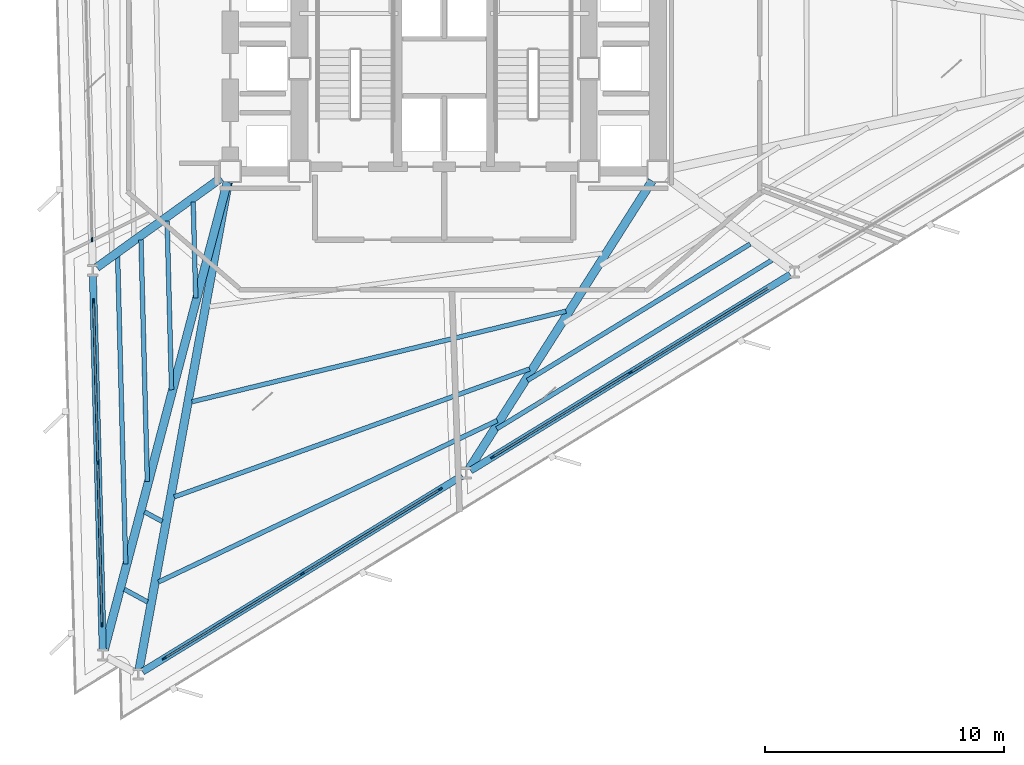
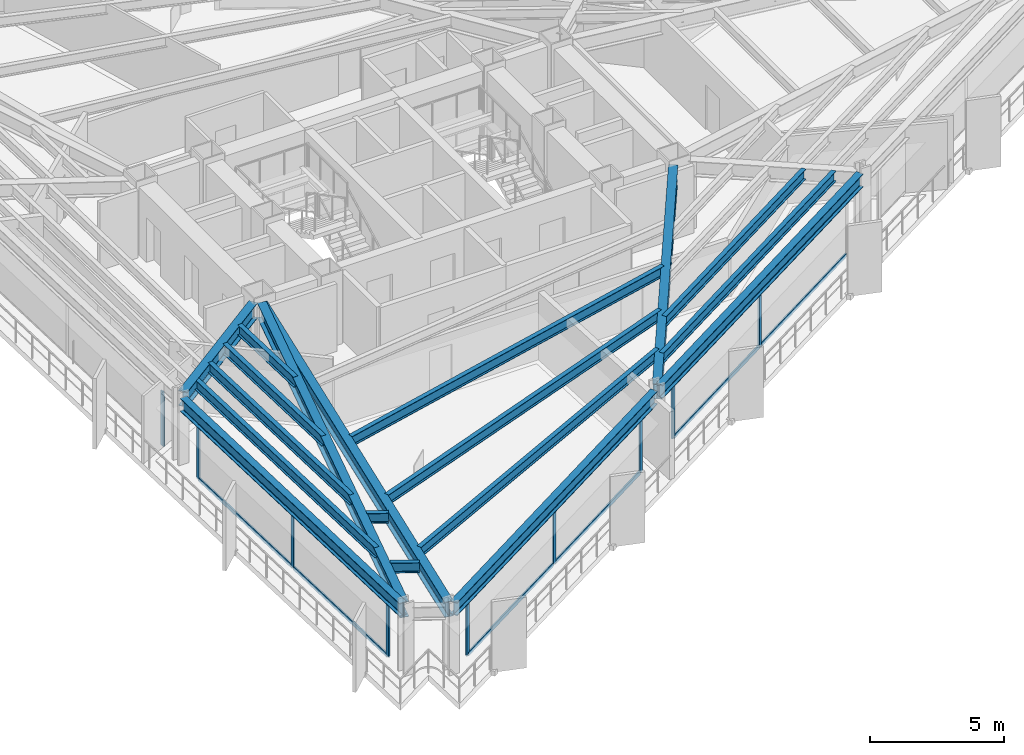
# One storey, part 2 of 14: 21 members, 18 beams, 4 elements without a shape of their own.
"""IFC4 building model written with IfcOpenShell, lengths in metres."""

from ifc_helpers import new_model, si_unit, direction, frame, origin, origin_2d, place, context, subcontext, project, spatial, rectangle, i_section, extrude, material, layer, layer_set, material_profile, profile_set, type_object, element, aggregate, save


model = new_model("IFC4")

# Units and contexts
model_context = context("Model", 3, precision=1e-05, world=origin(), true_north=direction((0.0, 1.0)))
body_context = subcontext(model_context, "Body", "Model", "MODEL_VIEW")
ifc_project = project(units=[si_unit("LENGTHUNIT", "METRE"), si_unit("AREAUNIT", "SQUARE_METRE"), si_unit("VOLUMEUNIT", "CUBIC_METRE"), si_unit("PLANEANGLEUNIT", "RADIAN"), si_unit("MASSUNIT", "GRAM", prefix="KILO")], contexts=[model_context])

# Site, building, storey
site_placement = place(None, origin())
site = spatial("IfcSite", under=ifc_project, at=site_placement, CompositionType="ELEMENT")
building_placement = place(site_placement, origin())
building = spatial("IfcBuilding", under=site, at=building_placement, Name="Rocaltana Carrier Exchange", CompositionType="ELEMENT")
storey_placement = place(building_placement, frame((0.0, 0.0, 22.239990234375)))
storey = spatial("IfcBuildingStorey", under=building, at=storey_placement, Name="L07", CompositionType="ELEMENT", Elevation=22.239990234375)

# Curtain wall, member
ifc_material_1 = material(Name="Aluminium 6063-T6", Category="aluminium")
ifc_layer = layer(ifc_material_1, 0.179931640625)
ifc_layer_set = layer_set([ifc_layer], Name="Aluminium 6063-T6")
curtain_wall_type = type_object("IfcCurtainWallType", Name="Sandstone Spandrel Unitised Curtain Wall CW-01", PredefinedType="NOTDEFINED", material=ifc_layer_set)
curtain_wall_1_placement = place(storey_placement, origin())
curtain_wall_1 = element("IfcCurtainWall", 1, at=curtain_wall_1_placement, inside=storey, type_object=curtain_wall_type, Name="L07 CW-01 Run CW-L07-F2S2", PredefinedType="NOTDEFINED")
ifc_material_2 = material(Name="Aluminium 6063-T6", Category="aluminium")
ifc_material_profile_1 = material_profile(ifc_material_2, rectangle(XDim=0.06494140625, YDim=0.179931640625, at=origin_2d()), Name="AL-65X180")
ifc_profile_set_1 = profile_set([ifc_material_profile_1], Name="Aluminium 6063-T6")
member_type_1 = type_object("IfcMemberType", Name="CW-01 Mullion AL-65X180", PredefinedType="MULLION", material=ifc_profile_set_1)
member_1_placement = place(storey_placement, frame((-14.733642578125, -7.155517578125, 0.0), z_axis=(0.0, 0.0, 1.0), x_axis=(0.99965733548, 0.026176547142, 0.0)))
member_1 = element("IfcMember", 2, at=member_1_placement, type_object=member_type_1, Name="CW-01 mullion 3", PredefinedType="MULLION", context=body_context, shape_type="SweptSolid", body=[
    extrude(rectangle(XDim=0.06494140625, YDim=0.179931640625, at=origin_2d()), origin(), (0.0, 0.0, 1.0), 2.47802734375),
])
aggregate(curtain_wall_1, [member_1])

# Curtain wall, members
curtain_wall_2_placement = place(storey_placement, origin())
curtain_wall_2 = element("IfcCurtainWall", 3, at=curtain_wall_2_placement, inside=storey, type_object=curtain_wall_type, Name="L07 CW-01 Run CW-L07-F2S3", PredefinedType="NOTDEFINED")
member_2_placement = place(storey_placement, frame((-14.66650390625, -9.7197265625, 0.0), z_axis=(0.0, 0.0, 1.0), x_axis=(0.999657143044, 0.026183895077, 0.0)))
member_2 = element("IfcMember", 4, at=member_2_placement, type_object=member_type_1, Name="CW-01 mullion 1", PredefinedType="MULLION", context=body_context, shape_type="SweptSolid", body=[
    extrude(rectangle(XDim=0.06494140625, YDim=0.179931640625, at=origin_2d()), origin(), (0.0, 0.0, 1.0), 2.47802734375),
])
member_3_placement = place(storey_placement, frame((-14.4892578125, -16.48486328125, 0.0), z_axis=(0.0, 0.0, 1.0), x_axis=(0.999657143044, 0.026183895077, 0.0)))
member_3 = element("IfcMember", 5, at=member_3_placement, type_object=member_type_1, Name="CW-01 mullion 2", PredefinedType="MULLION", context=body_context, shape_type="SweptSolid", body=[
    extrude(rectangle(XDim=0.06494140625, YDim=0.179931640625, at=origin_2d()), origin(), (0.0, 0.0, 1.0), 2.47802734375),
])
member_4_placement = place(storey_placement, frame((-14.31201171875, -23.25, 0.0), z_axis=(0.0, 0.0, 1.0), x_axis=(0.999657143044, 0.026183895077, 0.0)))
member_4 = element("IfcMember", 6, at=member_4_placement, type_object=member_type_1, Name="CW-01 mullion 3", PredefinedType="MULLION", context=body_context, shape_type="SweptSolid", body=[
    extrude(rectangle(XDim=0.06494140625, YDim=0.179931640625, at=origin_2d()), origin(), (0.0, 0.0, 1.0), 2.47802734375),
])

curtain_wall_3_placement = place(storey_placement, origin())
curtain_wall_3 = element("IfcCurtainWall", 7, at=curtain_wall_3_placement, inside=storey, type_object=curtain_wall_type, Name="L07 CW-01 Run CW-L07-F3S1", PredefinedType="NOTDEFINED")
member_5_placement = place(storey_placement, frame((-11.704345703125, -24.666015625, 0.0), z_axis=(0.0, 0.0, 1.0), x_axis=(-0.522505157925, 0.852636123996, 0.0)))
member_5 = element("IfcMember", 8, at=member_5_placement, type_object=member_type_1, Name="CW-01 mullion 1", PredefinedType="MULLION", context=body_context, shape_type="SweptSolid", body=[
    extrude(rectangle(XDim=0.06494140625, YDim=0.179931640625, at=origin_2d()), origin(), (0.0, 0.0, 1.0), 2.47802734375),
])
member_6_placement = place(storey_placement, frame((-5.93408203125, -21.130126953125, 0.0), z_axis=(0.0, 0.0, 1.0), x_axis=(-0.522505157925, 0.852636123996, 0.0)))
member_6 = element("IfcMember", 9, at=member_6_placement, type_object=member_type_1, Name="CW-01 mullion 2", PredefinedType="MULLION", context=body_context, shape_type="SweptSolid", body=[
    extrude(rectangle(XDim=0.06494140625, YDim=0.179931640625, at=origin_2d()), origin(), (0.0, 0.0, 1.0), 2.47802734375),
])
member_7_placement = place(storey_placement, frame((-0.163818359375, -17.593994140625, 0.0), z_axis=(0.0, 0.0, 1.0), x_axis=(-0.522505157925, 0.852636123996, 0.0)))
member_7 = element("IfcMember", 10, at=member_7_placement, type_object=member_type_1, Name="CW-01 mullion 3", PredefinedType="MULLION", context=body_context, shape_type="SweptSolid", body=[
    extrude(rectangle(XDim=0.06494140625, YDim=0.179931640625, at=origin_2d()), origin(), (0.0, 0.0, 1.0), 2.47802734375),
])

curtain_wall_4_placement = place(storey_placement, origin())
curtain_wall_4 = element("IfcCurtainWall", 11, at=curtain_wall_4_placement, inside=storey, type_object=curtain_wall_type, Name="L07 CW-01 Run CW-L07-F3S2", PredefinedType="NOTDEFINED")
member_8_placement = place(storey_placement, frame((2.023193359375, -16.25390625, 0.0), z_axis=(0.0, 0.0, 1.0), x_axis=(-0.522499812415, 0.852639399762, 0.0)))
member_8 = element("IfcMember", 12, at=member_8_placement, type_object=member_type_1, Name="CW-01 mullion 1", PredefinedType="MULLION", context=body_context, shape_type="SweptSolid", body=[
    extrude(rectangle(XDim=0.06494140625, YDim=0.179931640625, at=origin_2d()), origin(), (0.0, 0.0, 1.0), 2.47802734375),
])
member_9_placement = place(storey_placement, frame((7.79345703125, -12.7177734375, 0.0), z_axis=(0.0, 0.0, 1.0), x_axis=(-0.522499812415, 0.852639399762, 0.0)))
member_9 = element("IfcMember", 13, at=member_9_placement, type_object=member_type_1, Name="CW-01 mullion 2", PredefinedType="MULLION", context=body_context, shape_type="SweptSolid", body=[
    extrude(rectangle(XDim=0.06494140625, YDim=0.179931640625, at=origin_2d()), origin(), (0.0, 0.0, 1.0), 2.47802734375),
])

# Member
ifc_material_3 = material(Name="Aluminium 6063-T6", Category="aluminium")
ifc_material_profile_2 = material_profile(ifc_material_3, rectangle(XDim=0.06494140625, YDim=0.179931640625, at=origin_2d()), Name="AL-65X180")
ifc_profile_set_2 = profile_set([ifc_material_profile_2], Name="Aluminium 6063-T6")
member_type_2 = type_object("IfcMemberType", Name="CW-01 Transom AL-65X180", PredefinedType="USERDEFINED", material=ifc_profile_set_2)
member_10_placement = place(storey_placement, frame((-14.66552734375, -9.752197265625, 0.032470703125), z_axis=(0.026189818331, -0.999656987879, 0.0), x_axis=(0.999656987879, 0.026189818331, 0.0)))
member_10 = element("IfcMember", 14, at=member_10_placement, type_object=member_type_2, Name="CW-01 transom 1.1", ObjectType="TRANSOM", PredefinedType="USERDEFINED", context=body_context, shape_type="SweptSolid", body=[
    extrude(rectangle(XDim=0.06494140625, YDim=0.179931640625, at=origin_2d()), origin(), (0.0, 0.0, 1.0), 6.702392578125),
])

member_11_placement = place(storey_placement, frame((-14.66552734375, -9.752197265625, 2.445556640625), z_axis=(0.026189818331, -0.999656987879, 0.0), x_axis=(0.999656987879, 0.026189818331, 0.0)))
member_11 = element("IfcMember", 15, at=member_11_placement, type_object=member_type_2, Name="CW-01 transom 1.2", ObjectType="TRANSOM", PredefinedType="USERDEFINED", context=body_context, shape_type="SweptSolid", body=[
    extrude(rectangle(XDim=0.06494140625, YDim=0.179931640625, at=origin_2d()), origin(), (0.0, 0.0, 1.0), 6.702392578125),
])

member_12_placement = place(storey_placement, frame((-14.48828125, -16.517333984375, 0.032470703125), z_axis=(0.026153417925, -0.999657940863, 0.0), x_axis=(0.999657940863, 0.026153417925, 0.0)))
member_12 = element("IfcMember", 16, at=member_12_placement, type_object=member_type_2, Name="CW-01 transom 2.1", ObjectType="TRANSOM", PredefinedType="USERDEFINED", context=body_context, shape_type="SweptSolid", body=[
    extrude(rectangle(XDim=0.06494140625, YDim=0.179931640625, at=origin_2d()), origin(), (0.0, 0.0, 1.0), 6.702392578125),
])

member_13_placement = place(storey_placement, frame((-14.48828125, -16.517333984375, 2.445556640625), z_axis=(0.026153417925, -0.999657940863, 0.0), x_axis=(0.999657940863, 0.026153417925, 0.0)))
member_13 = element("IfcMember", 17, at=member_13_placement, type_object=member_type_2, Name="CW-01 transom 2.2", ObjectType="TRANSOM", PredefinedType="USERDEFINED", context=body_context, shape_type="SweptSolid", body=[
    extrude(rectangle(XDim=0.06494140625, YDim=0.179931640625, at=origin_2d()), origin(), (0.0, 0.0, 1.0), 6.702392578125),
])

aggregate(curtain_wall_2, [member_2, member_3, member_4, member_10, member_11, member_12, member_13])

member_14_placement = place(storey_placement, frame((-11.676513671875, -24.649169921875, 0.032470703125), z_axis=(0.85263109068, 0.522513371318, 0.0), x_axis=(-0.522513371318, 0.85263109068, 0.0)))
member_14 = element("IfcMember", 18, at=member_14_placement, type_object=member_type_2, Name="CW-01 transom 1.1", ObjectType="TRANSOM", PredefinedType="USERDEFINED", context=body_context, shape_type="SweptSolid", body=[
    extrude(rectangle(XDim=0.06494140625, YDim=0.179931640625, at=origin_2d()), origin(), (0.0, 0.0, 1.0), 6.70263671875),
])

member_15_placement = place(storey_placement, frame((-11.676513671875, -24.649169921875, 2.445556640625), z_axis=(0.85263109068, 0.522513371318, 0.0), x_axis=(-0.522513371318, 0.85263109068, 0.0)))
member_15 = element("IfcMember", 19, at=member_15_placement, type_object=member_type_2, Name="CW-01 transom 1.2", ObjectType="TRANSOM", PredefinedType="USERDEFINED", context=body_context, shape_type="SweptSolid", body=[
    extrude(rectangle(XDim=0.06494140625, YDim=0.179931640625, at=origin_2d()), origin(), (0.0, 0.0, 1.0), 6.70263671875),
])

member_16_placement = place(storey_placement, frame((-5.90625, -21.113037109375, 0.032470703125), z_axis=(0.85264731822, 0.522486890488, 0.0), x_axis=(-0.522486890488, 0.85264731822, 0.0)))
member_16 = element("IfcMember", 20, at=member_16_placement, type_object=member_type_2, Name="CW-01 transom 2.1", ObjectType="TRANSOM", PredefinedType="USERDEFINED", context=body_context, shape_type="SweptSolid", body=[
    extrude(rectangle(XDim=0.06494140625, YDim=0.179931640625, at=origin_2d()), origin(), (0.0, 0.0, 1.0), 6.702392578125),
])

member_17_placement = place(storey_placement, frame((-5.90625, -21.113037109375, 2.445556640625), z_axis=(0.85264731822, 0.522486890488, 0.0), x_axis=(-0.522486890488, 0.85264731822, 0.0)))
member_17 = element("IfcMember", 21, at=member_17_placement, type_object=member_type_2, Name="CW-01 transom 2.2", ObjectType="TRANSOM", PredefinedType="USERDEFINED", context=body_context, shape_type="SweptSolid", body=[
    extrude(rectangle(XDim=0.06494140625, YDim=0.179931640625, at=origin_2d()), origin(), (0.0, 0.0, 1.0), 6.702392578125),
])

aggregate(curtain_wall_3, [member_5, member_6, member_7, member_14, member_15, member_16, member_17])

member_18_placement = place(storey_placement, frame((2.051025390625, -16.23681640625, 0.032470703125), z_axis=(0.852637373876, 0.522503118335, 0.0), x_axis=(-0.522503118335, 0.852637373876, 0.0)))
member_18 = element("IfcMember", 22, at=member_18_placement, type_object=member_type_2, Name="CW-01 transom 1.1", ObjectType="TRANSOM", PredefinedType="USERDEFINED", context=body_context, shape_type="SweptSolid", body=[
    extrude(rectangle(XDim=0.06494140625, YDim=0.179931640625, at=origin_2d()), origin(), (0.0, 0.0, 1.0), 6.7021484375),
])

member_19_placement = place(storey_placement, frame((2.051025390625, -16.23681640625, 2.445556640625), z_axis=(0.852637373876, 0.522503118335, 0.0), x_axis=(-0.522503118335, 0.852637373876, 0.0)))
member_19 = element("IfcMember", 23, at=member_19_placement, type_object=member_type_2, Name="CW-01 transom 1.2", ObjectType="TRANSOM", PredefinedType="USERDEFINED", context=body_context, shape_type="SweptSolid", body=[
    extrude(rectangle(XDim=0.06494140625, YDim=0.179931640625, at=origin_2d()), origin(), (0.0, 0.0, 1.0), 6.7021484375),
])

member_20_placement = place(storey_placement, frame((7.821044921875, -12.700927734375, 0.032470703125), z_axis=(0.85263109068, 0.522513371318, 0.0), x_axis=(-0.522513371318, 0.85263109068, 0.0)))
member_20 = element("IfcMember", 24, at=member_20_placement, type_object=member_type_2, Name="CW-01 transom 2.1", ObjectType="TRANSOM", PredefinedType="USERDEFINED", context=body_context, shape_type="SweptSolid", body=[
    extrude(rectangle(XDim=0.06494140625, YDim=0.179931640625, at=origin_2d()), origin(), (0.0, 0.0, 1.0), 6.70263671875),
])

member_21_placement = place(storey_placement, frame((7.821044921875, -12.700927734375, 2.445556640625), z_axis=(0.85263109068, 0.522513371318, 0.0), x_axis=(-0.522513371318, 0.85263109068, 0.0)))
member_21 = element("IfcMember", 25, at=member_21_placement, type_object=member_type_2, Name="CW-01 transom 2.2", ObjectType="TRANSOM", PredefinedType="USERDEFINED", context=body_context, shape_type="SweptSolid", body=[
    extrude(rectangle(XDim=0.06494140625, YDim=0.179931640625, at=origin_2d()), origin(), (0.0, 0.0, 1.0), 6.70263671875),
])

aggregate(curtain_wall_4, [member_8, member_9, member_18, member_19, member_20, member_21])

# Beams
ifc_material_4 = material(Name="Steel S355", Category="steel")
ifc_material_profile_3 = material_profile(ifc_material_4, i_section(OverallWidth=0.193115234375, OverallDepth=0.466064453125, WebThickness=0.011474609375, FlangeThickness=0.01904296875, FilletRadius=0.013916015625, at=origin_2d()), Name="W18X65")
ifc_profile_set_3 = profile_set([ifc_material_profile_3], Name="Steel S355")
beam_type_1 = type_object("IfcBeamType", Name="Floor Joist W18X65", PredefinedType="JOIST", material=ifc_profile_set_3)
beam_1_placement = place(storey_placement, frame((-10.498046875, -5.588623046875, 2.864990234375), z_axis=(0.02615756085, -0.999657832466, 0.0), x_axis=(0.999657832466, 0.02615756085, 0.0)))
element("IfcBeam", 26, at=beam_1_placement, inside=storey, type_object=beam_type_1, Name="FJ-L07-07-1", PredefinedType="JOIST", context=body_context, shape_type="SweptSolid", body=[
    extrude(i_section(OverallWidth=0.193115234375, OverallDepth=0.466064453125, WebThickness=0.011474609375, FlangeThickness=0.01904296875, FilletRadius=0.013916015625, at=origin_2d()), origin(), (0.0, 0.0, 1.0), 4.004150390625),
])
beam_2_placement = place(storey_placement, frame((-11.590576171875, -6.374755859375, 2.864990234375), z_axis=(0.026201236861, -0.999656688662, 0.0), x_axis=(0.999656688662, 0.026201236861, 0.0)))
element("IfcBeam", 27, at=beam_2_placement, inside=storey, type_object=beam_type_1, Name="FJ-L07-07-2", PredefinedType="JOIST", context=body_context, shape_type="SweptSolid", body=[
    extrude(i_section(OverallWidth=0.193115234375, OverallDepth=0.466064453125, WebThickness=0.011474609375, FlangeThickness=0.01904296875, FilletRadius=0.013916015625, at=origin_2d()), origin(), (0.0, 0.0, 1.0), 7.06298828125),
])
beam_3_placement = place(storey_placement, frame((-12.68310546875, -7.160888671875, 2.864990234375), z_axis=(0.026193779282, -0.999656884099, 0.0), x_axis=(0.999656884099, 0.026193779282, 0.0)))
element("IfcBeam", 28, at=beam_3_placement, inside=storey, type_object=beam_type_1, Name="FJ-L07-07-3", PredefinedType="JOIST", context=body_context, shape_type="SweptSolid", body=[
    extrude(i_section(OverallWidth=0.193115234375, OverallDepth=0.466064453125, WebThickness=0.011474609375, FlangeThickness=0.01904296875, FilletRadius=0.013916015625, at=origin_2d()), origin(), (0.0, 0.0, 1.0), 10.1220703125),
])
beam_4_placement = place(storey_placement, frame((-13.660400390625, -7.864501953125, 2.864990234375), z_axis=(0.026162886521, -0.999657693097, 0.0), x_axis=(0.999657693097, 0.026162886521, 0.0)))
element("IfcBeam", 29, at=beam_4_placement, inside=storey, type_object=beam_type_1, Name="FJ-L07-07-4", PredefinedType="JOIST", context=body_context, shape_type="SweptSolid", body=[
    extrude(i_section(OverallWidth=0.193115234375, OverallDepth=0.466064453125, WebThickness=0.011474609375, FlangeThickness=0.01904296875, FilletRadius=0.013916015625, at=origin_2d()), origin(), (0.0, 0.0, 1.0), 12.85888671875),
])
beam_5_placement = place(storey_placement, frame((-12.529296875, -18.54443359375, 2.864990234375), z_axis=(0.878797482276, -0.477194913159, 0.0), x_axis=(0.477194913159, 0.878797482276, 0.0)))
element("IfcBeam", 30, at=beam_5_placement, inside=storey, type_object=beam_type_1, Name="FJ-L07-08-3", PredefinedType="JOIST", context=body_context, shape_type="SweptSolid", body=[
    extrude(i_section(OverallWidth=0.193115234375, OverallDepth=0.466064453125, WebThickness=0.011474609375, FlangeThickness=0.01904296875, FilletRadius=0.013916015625, at=origin_2d()), origin(), (0.0, 0.0, 1.0), 0.83642578125),
])
beam_6_placement = place(storey_placement, frame((-13.3818359375, -21.781494140625, 2.864990234375), z_axis=(0.878771440965, -0.477242867462, 0.0), x_axis=(0.477242867462, 0.878771440965, 0.0)))
element("IfcBeam", 31, at=beam_6_placement, inside=storey, type_object=beam_type_1, Name="FJ-L07-08-4", PredefinedType="JOIST", context=body_context, shape_type="SweptSolid", body=[
    extrude(i_section(OverallWidth=0.193115234375, OverallDepth=0.466064453125, WebThickness=0.011474609375, FlangeThickness=0.01904296875, FilletRadius=0.013916015625, at=origin_2d()), origin(), (0.0, 0.0, 1.0), 1.10595703125),
])
beam_7_placement = place(storey_placement, frame((-10.55322265625, -13.936279296875, 2.864990234375), z_axis=(0.971913306863, 0.235339167889, 0.0), x_axis=(-0.235339167889, 0.971913306863, 0.0)))
element("IfcBeam", 32, at=beam_7_placement, inside=storey, type_object=beam_type_1, Name="FJ-L07-09-2", PredefinedType="JOIST", context=body_context, shape_type="SweptSolid", body=[
    extrude(i_section(OverallWidth=0.193115234375, OverallDepth=0.466064453125, WebThickness=0.011474609375, FlangeThickness=0.01904296875, FilletRadius=0.013916015625, at=origin_2d()), origin(), (0.0, 0.0, 1.0), 16.099365234375),
])
beam_8_placement = place(storey_placement, frame((-11.289794921875, -17.915283203125, 2.864990234375), z_axis=(0.940885835943, 0.338723845813, 0.0), x_axis=(-0.338723845813, 0.940885835943, 0.0)))
element("IfcBeam", 33, at=beam_8_placement, inside=storey, type_object=beam_type_1, Name="FJ-L07-09-3", PredefinedType="JOIST", context=body_context, shape_type="SweptSolid", body=[
    extrude(i_section(OverallWidth=0.193115234375, OverallDepth=0.466064453125, WebThickness=0.011474609375, FlangeThickness=0.01904296875, FilletRadius=0.013916015625, at=origin_2d()), origin(), (0.0, 0.0, 1.0), 15.799072265625),
])
beam_9_placement = place(storey_placement, frame((-11.950439453125, -21.475830078125, 2.864990234375), z_axis=(0.902777117636, 0.430108679141, 0.0), x_axis=(-0.430108679141, 0.902777117636, 0.0)))
element("IfcBeam", 34, at=beam_9_placement, inside=storey, type_object=beam_type_1, Name="FJ-L07-09-4", PredefinedType="JOIST", context=body_context, shape_type="SweptSolid", body=[
    extrude(i_section(OverallWidth=0.193115234375, OverallDepth=0.466064453125, WebThickness=0.011474609375, FlangeThickness=0.01904296875, FilletRadius=0.013916015625, at=origin_2d()), origin(), (0.0, 0.0, 1.0), 15.69482421875),
])
beam_10_placement = place(storey_placement, frame((3.48193359375, -13.047119140625, 2.864990234375), z_axis=(0.852647168541, 0.52248713475, 0.0), x_axis=(-0.52248713475, 0.852647168541, 0.0)))
element("IfcBeam", 35, at=beam_10_placement, inside=storey, type_object=beam_type_1, Name="FJ-L07-10-3", PredefinedType="JOIST", context=body_context, shape_type="SweptSolid", body=[
    extrude(i_section(OverallWidth=0.193115234375, OverallDepth=0.466064453125, WebThickness=0.011474609375, FlangeThickness=0.01904296875, FilletRadius=0.013916015625, at=origin_2d()), origin(), (0.0, 0.0, 1.0), 10.927001953125),
])
beam_11_placement = place(storey_placement, frame((2.19873046875, -15.06689453125, 2.864990234375), z_axis=(0.852643866126, 0.522492523926, 0.0), x_axis=(-0.522492523926, 0.852643866126, 0.0)))
element("IfcBeam", 36, at=beam_11_placement, inside=storey, type_object=beam_type_1, Name="FJ-L07-10-4", PredefinedType="JOIST", context=body_context, shape_type="SweptSolid", body=[
    extrude(i_section(OverallWidth=0.193115234375, OverallDepth=0.466064453125, WebThickness=0.011474609375, FlangeThickness=0.01904296875, FilletRadius=0.013916015625, at=origin_2d()), origin(), (0.0, 0.0, 1.0), 13.5029296875),
])
ifc_material_5 = material(Name="Steel S355", Category="steel")
ifc_material_profile_4 = material_profile(ifc_material_5, i_section(OverallWidth=0.35498046875, OverallDepth=0.695068359375, WebThickness=0.015380859375, FlangeThickness=0.02490234375, FilletRadius=0.01806640625, at=origin_2d()), Name="W27X146")
ifc_profile_set_4 = profile_set([ifc_material_profile_4], Name="Steel S355")
beam_type_2 = type_object("IfcBeamType", Name="Radial Girder W27X146", PredefinedType="BEAM", material=ifc_profile_set_4)
beam_12_placement = place(storey_placement, frame((-9.3291015625, -4.57275390625, 2.75048828125), z_axis=(-0.811692545501, -0.584084935243, 0.0), x_axis=(0.584084935243, -0.811692545501, 0.0)))
element("IfcBeam", 37, at=beam_12_placement, inside=storey, type_object=beam_type_2, Name="RG-L07-07", PredefinedType="BEAM", context=body_context, shape_type="SweptSolid", body=[
    extrude(i_section(OverallWidth=0.35498046875, OverallDepth=0.695068359375, WebThickness=0.015380859375, FlangeThickness=0.02490234375, FilletRadius=0.01806640625, at=origin_2d()), origin(), (0.0, 0.0, 1.0), 6.408935546875),
])
beam_13_placement = place(storey_placement, frame((-9.06884765625, -4.751708984375, 2.75048828125), z_axis=(-0.254690940401, -0.967022504845, 0.0), x_axis=(0.967022504845, -0.254690940401, 0.0)))
element("IfcBeam", 38, at=beam_13_placement, inside=storey, type_object=beam_type_2, Name="RG-L07-08", PredefinedType="BEAM", context=body_context, shape_type="SweptSolid", body=[
    extrude(i_section(OverallWidth=0.35498046875, OverallDepth=0.695068359375, WebThickness=0.015380859375, FlangeThickness=0.02490234375, FilletRadius=0.01806640625, at=origin_2d()), origin(), (0.0, 0.0, 1.0), 20.2470703125),
])
beam_14_placement = place(storey_placement, frame((-9.033935546875, -4.759521484375, 2.75048828125), z_axis=(-0.179939319747, -0.983677712063, 0.0), x_axis=(0.983677712063, -0.179939319747, 0.0)))
element("IfcBeam", 39, at=beam_14_placement, inside=storey, type_object=beam_type_2, Name="RG-L07-09", PredefinedType="BEAM", context=body_context, shape_type="SweptSolid", body=[
    extrude(i_section(OverallWidth=0.35498046875, OverallDepth=0.695068359375, WebThickness=0.015380859375, FlangeThickness=0.02490234375, FilletRadius=0.01806640625, at=origin_2d()), origin(), (0.0, 0.0, 1.0), 20.710205078125),
])
beam_15_placement = place(storey_placement, frame((8.69970703125, -4.694091796875, 2.75048828125), z_axis=(-0.536257007231, -0.84405475071, 0.0), x_axis=(0.84405475071, -0.536257007231, 0.0)))
element("IfcBeam", 40, at=beam_15_placement, inside=storey, type_object=beam_type_2, Name="RG-L07-10", PredefinedType="BEAM", context=body_context, shape_type="SweptSolid", body=[
    extrude(i_section(OverallWidth=0.35498046875, OverallDepth=0.695068359375, WebThickness=0.015380859375, FlangeThickness=0.02490234375, FilletRadius=0.01806640625, at=origin_2d()), origin(), (0.0, 0.0, 1.0), 14.28125),
])
ifc_material_6 = material(Name="Steel S355", Category="steel")
ifc_material_profile_5 = material_profile(ifc_material_6, i_section(OverallWidth=0.300048828125, OverallDepth=0.60009765625, WebThickness=0.015380859375, FlangeThickness=0.030029296875, FilletRadius=0.027099609375, at=origin_2d()), Name="HEB600")
ifc_profile_set_5 = profile_set([ifc_material_profile_5], Name="Steel S355")
beam_type_3 = type_object("IfcBeamType", Name="Spandrel Edge Beam HEB600", PredefinedType="SPANDREL", material=ifc_profile_set_5)
for number, where, z_axis, x_axis, name in (
    (41, (-14.694580078125, -8.6455078125, 2.798095703125), (0.026182238984, -0.99965718642, 0.0), (0.99965718642, 0.026182238984, 0.0), "SP-L07-07"),
    (42, (-12.62060546875, -25.2275390625, 2.798095703125), (0.852645545454, 0.522489783458, 0.0), (-0.522489783458, 0.852645545454, 0.0), "SP-L07-09"),
    (43, (1.10693359375, -16.815185546875, 2.798095703125), (0.852645545454, 0.522489783458, 0.0), (-0.522489783458, 0.852645545454, 0.0), "SP-L07-10"),
):
    element("IfcBeam", number, at=place(storey_placement, frame(where, z_axis=z_axis, x_axis=x_axis)), inside=storey, type_object=beam_type_3, Name=name, PredefinedType="SPANDREL", context=body_context, shape_type="SweptSolid", body=[
        extrude(i_section(OverallWidth=0.300048828125, OverallDepth=0.60009765625, WebThickness=0.015380859375, FlangeThickness=0.030029296875, FilletRadius=0.027099609375, at=origin_2d()), origin(), (0.0, 0.0, 1.0), 15.68408203125),
    ])

save(model, "model.ifc")
